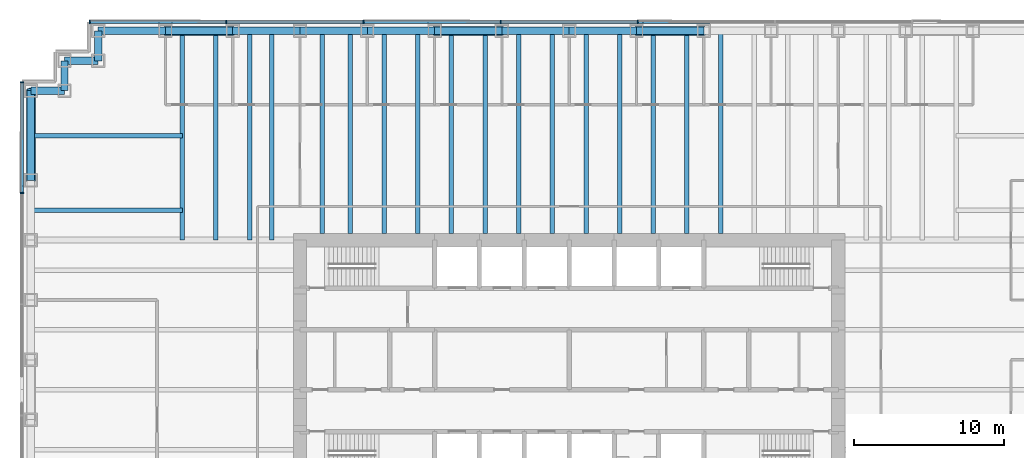
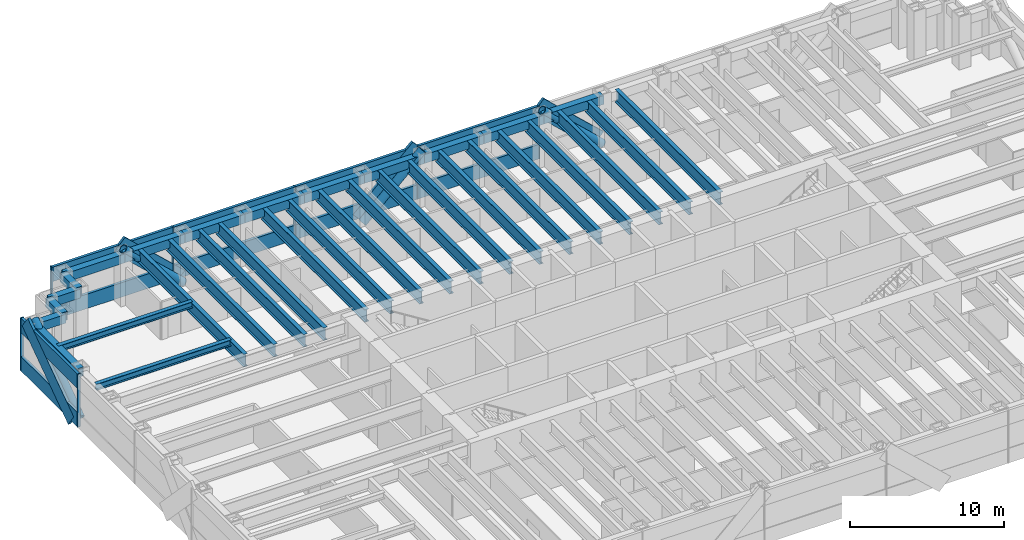
# One storey, part 5 of 16: 33 beams, 25 members, 2 elements without a shape of their own.
"""IFC4 building model written with IfcOpenShell, lengths in metres."""

import ifcopenshell
import ifcopenshell.guid

model = None  # the IFC model being written
_history = None  # IfcOwnerHistory: only IFC2X3 demands one
_inside = {}  # id of a spatial element -> (the spatial element, [elements in it])
_under = {}  # id of a project, library or spatial element -> (it, [spatial elements below it])
_declared = {}  # id of a project -> (the project, [libraries it declares])
_typed = {}  # id of a type object -> (the type object, [elements of that type])
_made_of = {}  # id of a material, layer set ... -> (it, [elements and type objects made of it])


def new_model(schema):
    """Start an empty IFC model of exactly this schema.

    Asked for "IFC4X3", IfcOpenShell would pick the latest addendum, in which some entities
    have other attributes; the version numbers below select the first issue.
    IFC2X3 requires an IfcOwnerHistory on every rooted entity: one is made here for all.
    """
    global model, _history
    if schema == "IFC4X3":
        model = ifcopenshell.file(schema_version=(4, 3, 0, 0))
    else:
        model = ifcopenshell.file(schema=schema)
    _inside.clear()
    _under.clear()
    _declared.clear()
    _typed.clear()
    _made_of.clear()
    _history = None
    if model.schema == "IFC2X3":
        org = make("IfcOrganization", Name="unknown")
        user = make(
            "IfcPersonAndOrganization",
            ThePerson=make("IfcPerson", FamilyName="unknown"),
            TheOrganization=org,
        )
        app = make(
            "IfcApplication",
            ApplicationDeveloper=org,
            Version="unknown",
            ApplicationFullName="unknown",
            ApplicationIdentifier="unknown",
        )
        _history = make(
            "IfcOwnerHistory",
            OwningUser=user,
            OwningApplication=app,
            ChangeAction="ADDED",
            CreationDate=0,
        )
    return model


def make(cls, **values):
    """One entity of the class cls with the attributes given. An attribute that is None is left unset."""
    return model.create_entity(
        cls, **{name: value for name, value in values.items() if value is not None}
    )


def rooted(cls, **values):
    """An entity with a GlobalId (a new one), such as an element, a storey or a relation."""
    return make(cls, GlobalId=ifcopenshell.guid.new(), OwnerHistory=_history, **values)


def si_unit(unit_type, name, prefix=None):
    """IfcSIUnit, for example si_unit("LENGTHUNIT", "METRE", prefix="MILLI")."""
    return make("IfcSIUnit", UnitType=unit_type, Prefix=prefix, Name=name)


def assignment(units):
    """IfcUnitAssignment: the units of a project."""
    return None if units is None else make("IfcUnitAssignment", Units=units)


def point(xyz):
    """IfcCartesianPoint."""
    return None if xyz is None else make("IfcCartesianPoint", Coordinates=xyz)


def direction(xyz):
    """IfcDirection."""
    return None if xyz is None else make("IfcDirection", DirectionRatios=xyz)


def frame(location, z_axis=None, x_axis=None):
    """IfcAxis2Placement3D, a coordinate frame: its origin and axes. An axis left out is left unset."""
    return make(
        "IfcAxis2Placement3D",
        Location=point(location),
        Axis=direction(z_axis),
        RefDirection=direction(x_axis),
    )


def frame_2d(location, x_axis=None):
    """IfcAxis2Placement2D, a coordinate frame in the plane: its origin and x axis."""
    return make(
        "IfcAxis2Placement2D", Location=point(location), RefDirection=direction(x_axis)
    )


def origin():
    """The frame at (0, 0, 0) with its axes left unset."""
    return frame((0.0, 0.0, 0.0))


def origin_2d():
    """The frame at (0, 0) in the plane with its x axis left unset."""
    return frame_2d((0.0, 0.0))


def place(relative_to, where):
    """IfcLocalPlacement: puts the frame where relative to a parent placement (None: the world)."""
    return make(
        "IfcLocalPlacement", PlacementRelTo=relative_to, RelativePlacement=where
    )


def context(
    kind, dimensions, precision=None, world=None, true_north=None, identifier=None
):
    """IfcGeometricRepresentationContext, for example the 3D "Model" context."""
    return make(
        "IfcGeometricRepresentationContext",
        ContextIdentifier=identifier,
        ContextType=kind,
        CoordinateSpaceDimension=dimensions,
        Precision=precision,
        WorldCoordinateSystem=world,
        TrueNorth=true_north,
    )


def subcontext(parent, identifier, kind, view, scale=None):
    """IfcGeometricRepresentationSubContext, for example "Body" below "Model"."""
    return make(
        "IfcGeometricRepresentationSubContext",
        ContextIdentifier=identifier,
        ContextType=kind,
        ParentContext=parent,
        TargetScale=scale,
        TargetView=view,
    )


def project(units=None, contexts=None):
    """IfcProject with its units and contexts."""
    return rooted(
        "IfcProject",
        Name="project",
        RepresentationContexts=contexts,
        UnitsInContext=assignment(units),
    )


def spatial(cls, under=None, at=None, **own):
    """A site, building, storey or space (cls), placed at a placement, below another one or the project."""
    s = rooted(cls, ObjectPlacement=at, **own)
    if under is not None:
        _under.setdefault(under.id(), (under, []))[1].append(s)
    return s


def profile(cls, at=None, kind="AREA", **sizes):
    """A parametric profile (cls). Its sizes go by their IFC names, for example OverallWidth=200.0."""
    return make(cls, ProfileType=kind, Position=at, **sizes)


def rectangle(**sizes):
    """IfcRectangleProfileDef."""
    return profile("IfcRectangleProfileDef", **sizes)


def hollow_rectangle(**sizes):
    """IfcRectangleHollowProfileDef."""
    return profile("IfcRectangleHollowProfileDef", **sizes)


def hollow_circle(**sizes):
    """IfcCircleHollowProfileDef."""
    return profile("IfcCircleHollowProfileDef", **sizes)


def i_section(**sizes):
    """IfcIShapeProfileDef."""
    return profile("IfcIShapeProfileDef", **sizes)


def extrude(swept, where, along, depth):
    """IfcExtrudedAreaSolid: the profile swept, set in the frame where, extruded along a direction by depth."""
    return make(
        "IfcExtrudedAreaSolid",
        SweptArea=swept,
        Position=where,
        ExtrudedDirection=direction(along),
        Depth=depth,
    )


def shape(context_of_items, identifier, shape_type, items):
    """IfcShapeRepresentation: the items that make up one representation, for example the "Body"."""
    return make(
        "IfcShapeRepresentation",
        ContextOfItems=context_of_items,
        RepresentationIdentifier=identifier,
        RepresentationType=shape_type,
        Items=items,
    )


def material(Name=None, Category=None):
    """IfcMaterial."""
    return make("IfcMaterial", Name=Name, Category=Category)


def material_profile(
    of_material, cross_section, Name=None, Category=None, Priority=None
):
    """IfcMaterialProfile: a cross section and its material."""
    return make(
        "IfcMaterialProfile",
        Name=Name,
        Material=of_material,
        Profile=cross_section,
        Priority=Priority,
        Category=Category,
    )


def profile_set(profiles, Name=None, composite=None):
    """IfcMaterialProfileSet."""
    return make(
        "IfcMaterialProfileSet",
        Name=Name,
        MaterialProfiles=profiles,
        CompositeProfile=composite,
    )


def made_of(thing, what):
    """Note that an element or type object is made of a material, layer set ...; save() writes the relation."""
    if what is not None:
        _made_of.setdefault(what.id(), (what, []))[1].append(thing)
    return thing


def type_object(cls, material=None, **own):
    """A type object (cls), such as IfcWallType, which elements share."""
    return made_of(rooted(cls, **own), material)


def element(
    cls,
    number,
    at=None,
    inside=None,
    cuts=None,
    type_object=None,
    material=None,
    context=None,
    identifier="Body",
    shape_type=None,
    held_by="IfcProductDefinitionShape",
    body=None,
    shapes=None,
    **own,
):
    """One element of the class cls, such as IfcWall. Its Tag is "e" and its number.

    at: its placement. inside: the storey or other place that contains it. cuts: it is an
    opening in that element (IfcRelVoidsElement). A single representation is given by context,
    identifier, shape_type and body (its items); several are given by shapes. held_by: the class
    of the entity that holds the representations. save() writes the other relations.
    """
    e = rooted(cls, Tag="e%d" % number, ObjectPlacement=at, **own)
    if body is not None:
        shapes = [shape(context, identifier, shape_type, body)]
    if shapes is not None:
        e.Representation = make(held_by, Representations=shapes)
    if inside is not None:
        _inside.setdefault(inside.id(), (inside, []))[1].append(e)
    if cuts is not None:
        rooted(
            "IfcRelVoidsElement", RelatingBuildingElement=cuts, RelatedOpeningElement=e
        )
    if type_object is not None:
        _typed.setdefault(type_object.id(), (type_object, []))[1].append(e)
    return made_of(e, material)


def aggregate(whole, parts):
    """IfcRelAggregates: a whole, such as a stair, and the parts it consists of."""
    return rooted("IfcRelAggregates", RelatingObject=whole, RelatedObjects=parts)


def save(model, path):
    """Write the relations noted so far, then the file.

    IfcRelAggregates (storeys below a building ...), IfcRelContainedInSpatialStructure (elements
    in a storey), IfcRelDefinesByType, IfcRelAssociatesMaterial and IfcRelDeclares: one each for
    every whole, place, type object, material and project.
    """
    for whole, parts in _under.values():
        aggregate(whole, parts)
    for where, things in _inside.values():
        rooted(
            "IfcRelContainedInSpatialStructure",
            RelatedElements=things,
            RelatingStructure=where,
        )
    for kind, things in _typed.values():
        rooted("IfcRelDefinesByType", RelatedObjects=things, RelatingType=kind)
    for what, things in _made_of.values():
        rooted("IfcRelAssociatesMaterial", RelatedObjects=things, RelatingMaterial=what)
    for by, libraries in _declared.values():
        rooted("IfcRelDeclares", RelatingContext=by, RelatedDefinitions=libraries)
    model.write(path)


model = new_model("IFC4")

# Units and contexts
model_context = context("Model", 3, precision=1e-05, world=origin(), true_north=direction((0.0, 1.0)))
body_context = subcontext(model_context, "Body", "Model", "MODEL_VIEW")
ifc_project = project(units=[si_unit("LENGTHUNIT", "METRE"), si_unit("AREAUNIT", "SQUARE_METRE"), si_unit("VOLUMEUNIT", "CUBIC_METRE"), si_unit("PLANEANGLEUNIT", "RADIAN"), si_unit("MASSUNIT", "GRAM", prefix="KILO")], contexts=[model_context])

# Site, building, storey
site_placement = place(None, origin())
site = spatial("IfcSite", under=ifc_project, at=site_placement, CompositionType="ELEMENT")
building_placement = place(site_placement, origin())
building = spatial("IfcBuilding", under=site, at=building_placement, Name="Rheinbord Bourse Tower", CompositionType="ELEMENT")
storey_placement = place(building_placement, frame((0.0, 0.0, 176.10009765625)))
storey = spatial("IfcBuildingStorey", under=building, at=storey_placement, Name="L39", CompositionType="ELEMENT", Elevation=176.10009765625)

# Beams
ifc_material_1 = material(Name="Steel S460M", Category="steel")
ifc_material_profile_1 = material_profile(ifc_material_1, hollow_rectangle(XDim=0.5, YDim=0.699951171875, WallThickness=0.0400390625, at=origin_2d()), Name="BOX 700x500x40")
ifc_profile_set_1 = profile_set([ifc_material_profile_1], Name="Steel S460M")
beam_type_1 = type_object("IfcBeamType", Name="BELT CHORD BOX 700x500x40", PredefinedType="SPANDREL", material=ifc_profile_set_1)
for number, where, z_axis, x_axis, name in (
    (1, (45.0, 46.0, 3.599853515625), (-1.0, 0.0, 0.0), (0.0, -1.0, 0.0), "Spandrel N-45-N-40.5 under L40"),
    (2, (40.5, 46.0, 3.599853515625), (-1.0, 0.0, 0.0), (0.0, -1.0, 0.0), "Spandrel N-40.5-N-36 under L40"),
    (3, (36.0, 46.0, 3.599853515625), (-1.0, 0.0, 0.0), (0.0, -1.0, 0.0), "Spandrel N-36-N-31.5 under L40"),
    (4, (31.5, 46.0, 3.599853515625), (-1.0, 0.0, 0.0), (0.0, -1.0, 0.0), "Spandrel N-31.5-N-27 under L40"),
    (5, (27.0, 46.0, 3.599853515625), (-1.0, 0.0, 0.0), (0.0, -1.0, 0.0), "Spandrel N-27-N-22.5 under L40"),
    (6, (22.5, 46.0, 3.599853515625), (-1.0, 0.0, 0.0), (0.0, -1.0, 0.0), "Spandrel N-22.5-N-18 under L40"),
    (7, (18.0, 46.0, 3.599853515625), (-1.0, 0.0, 0.0), (0.0, -1.0, 0.0), "Spandrel N-18-N-13.5 under L40"),
    (8, (13.5, 46.0, 3.599853515625), (-1.0, 0.0, 0.0), (0.0, -1.0, 0.0), "Spandrel N-13.5-N-9 under L40"),
    (9, (9.0, 46.0, 3.599853515625), (-1.0, 0.0, 0.0), (0.0, -1.0, 0.0), "Spandrel N-9-NW-E under L40"),
):
    element("IfcBeam", number, at=place(storey_placement, frame(where, z_axis=z_axis, x_axis=x_axis)), inside=storey, type_object=beam_type_1, Name=name, PredefinedType="SPANDREL", context=body_context, shape_type="SweptSolid", body=[
        extrude(hollow_rectangle(XDim=0.5, YDim=0.699951171875, WallThickness=0.0400390625, at=origin_2d()), origin(), (0.0, 0.0, 1.0), 4.5),
    ])
beam_1_placement = place(storey_placement, frame((4.5, 46.0, 3.599853515625), z_axis=(0.0, -1.0, 0.0), x_axis=(1.0, 0.0, 0.0)))
element("IfcBeam", 10, at=beam_1_placement, inside=storey, type_object=beam_type_1, Name="Spandrel NW-E-NW-D under L40", PredefinedType="SPANDREL", context=body_context, shape_type="SweptSolid", body=[
    extrude(hollow_rectangle(XDim=0.5, YDim=0.699951171875, WallThickness=0.0400390625, at=origin_2d()), origin(), (0.0, 0.0, 1.0), 2.0),
])
beam_2_placement = place(storey_placement, frame((4.5, 44.0, 3.599853515625), z_axis=(-1.0, 0.0, 0.0), x_axis=(0.0, -1.0, 0.0)))
element("IfcBeam", 11, at=beam_2_placement, inside=storey, type_object=beam_type_1, Name="Spandrel NW-D-NW-C under L40", PredefinedType="SPANDREL", context=body_context, shape_type="SweptSolid", body=[
    extrude(hollow_rectangle(XDim=0.5, YDim=0.699951171875, WallThickness=0.0400390625, at=origin_2d()), origin(), (0.0, 0.0, 1.0), 2.25),
])
beam_3_placement = place(storey_placement, frame((2.25, 44.0, 3.599853515625), z_axis=(0.0, -1.0, 0.0), x_axis=(1.0, 0.0, 0.0)))
element("IfcBeam", 12, at=beam_3_placement, inside=storey, type_object=beam_type_1, Name="Spandrel NW-C-NW-B under L40", PredefinedType="SPANDREL", context=body_context, shape_type="SweptSolid", body=[
    extrude(hollow_rectangle(XDim=0.5, YDim=0.699951171875, WallThickness=0.0400390625, at=origin_2d()), origin(), (0.0, 0.0, 1.0), 2.0),
])
beam_4_placement = place(storey_placement, frame((2.25, 42.0, 3.599853515625), z_axis=(-1.0, 0.0, 0.0), x_axis=(0.0, -1.0, 0.0)))
element("IfcBeam", 13, at=beam_4_placement, inside=storey, type_object=beam_type_1, Name="Spandrel NW-B-NW-A under L40", PredefinedType="SPANDREL", context=body_context, shape_type="SweptSolid", body=[
    extrude(hollow_rectangle(XDim=0.5, YDim=0.699951171875, WallThickness=0.0400390625, at=origin_2d()), origin(), (0.0, 0.0, 1.0), 2.25),
])
beam_5_placement = place(storey_placement, frame((0.0, 42.0, 3.599853515625), z_axis=(0.0, -1.0, 0.0), x_axis=(1.0, 0.0, 0.0)))
element("IfcBeam", 14, at=beam_5_placement, inside=storey, type_object=beam_type_1, Name="Spandrel NW-A-W-36 under L40", PredefinedType="SPANDREL", context=body_context, shape_type="SweptSolid", body=[
    extrude(hollow_rectangle(XDim=0.5, YDim=0.699951171875, WallThickness=0.0400390625, at=origin_2d()), origin(), (0.0, 0.0, 1.0), 6.0),
])

# Curtain wall, members
ifc_material_2 = material(Name="Dark glass and black aluminium", Category="aluminium")
curtain_wall_type = type_object("IfcCurtainWallType", Name="CW5 DARK GLASS CURTAIN WALL", PredefinedType="USERDEFINED", material=ifc_material_2)
curtain_wall_1_placement = place(storey_placement, origin())
curtain_wall_1 = element("IfcCurtainWall", 15, at=curtain_wall_1_placement, inside=storey, type_object=curtain_wall_type, Name="Curtain wall CW5 N L39", ObjectType="UNITISED CURTAIN WALL", PredefinedType="USERDEFINED")
ifc_material_3 = material(Name="Black anodised aluminium", Category="aluminium")
ifc_material_profile_2 = material_profile(ifc_material_3, rectangle(XDim=0.199951171875, YDim=1.259033203125, at=origin_2d()), Name="CW5 DIAGONAL MULLION 1259x200")
ifc_profile_set_2 = profile_set([ifc_material_profile_2], Name="Black anodised aluminium")
member_type_1 = type_object("IfcMemberType", Name="CW5 BLACK DIAGONAL MULLION", PredefinedType="USERDEFINED", material=ifc_profile_set_2)
member_1_placement = place(storey_placement, frame((13.5, 46.60009765625, 0.0), z_axis=(-0.73105922506, 0.0, 0.682314010889), x_axis=(0.0, -1.0, 0.0)))
member_1 = element("IfcMember", 16, at=member_1_placement, type_object=member_type_1, Name="CW5 diagonal mullion b", ObjectType="DIAGONAL MULLION", PredefinedType="USERDEFINED", context=body_context, shape_type="SweptSolid", body=[
    extrude(rectangle(XDim=0.199951171875, YDim=1.259033203125, at=origin_2d()), origin(), (0.0, 0.0, 1.0), 6.155517578125),
])
member_2_placement = place(storey_placement, frame((45.0, 46.60009765625, 0.0), z_axis=(-0.73105922506, 0.0, 0.682314010889), x_axis=(0.0, -1.0, 0.0)))
member_2 = element("IfcMember", 17, at=member_2_placement, type_object=member_type_1, Name="CW5 diagonal mullion c", ObjectType="DIAGONAL MULLION", PredefinedType="USERDEFINED", context=body_context, shape_type="SweptSolid", body=[
    extrude(rectangle(XDim=0.199951171875, YDim=1.259033203125, at=origin_2d()), origin(), (0.0, 0.0, 1.0), 6.155517578125),
])
member_3_placement = place(storey_placement, frame((27.0, 46.60009765625, 0.0), z_axis=(0.73105922506, 0.0, 0.682314010889), x_axis=(0.0, 1.0, 0.0)))
member_3 = element("IfcMember", 18, at=member_3_placement, type_object=member_type_1, Name="CW5 diagonal mullion d", ObjectType="DIAGONAL MULLION", PredefinedType="USERDEFINED", context=body_context, shape_type="SweptSolid", body=[
    extrude(rectangle(XDim=0.199951171875, YDim=1.259033203125, at=origin_2d()), origin(), (0.0, 0.0, 1.0), 6.155517578125),
])

# Curtain wall, member
curtain_wall_2_placement = place(storey_placement, origin())
curtain_wall_2 = element("IfcCurtainWall", 19, at=curtain_wall_2_placement, inside=storey, type_object=curtain_wall_type, Name="Curtain wall CW5 W L39", ObjectType="UNITISED CURTAIN WALL", PredefinedType="USERDEFINED")
member_4_placement = place(storey_placement, frame((-0.60009765625, 36.0, 0.0), z_axis=(0.0, 0.819235052632, 0.57345786989), x_axis=(-1.0, 0.0, 0.0)))
member_4 = element("IfcMember", 20, at=member_4_placement, type_object=member_type_1, Name="CW5 diagonal mullion c", ObjectType="DIAGONAL MULLION", PredefinedType="USERDEFINED", context=body_context, shape_type="SweptSolid", body=[
    extrude(rectangle(XDim=0.199951171875, YDim=1.259033203125, at=origin_2d()), origin(), (0.0, 0.0, 1.0), 7.323974609375),
])

# Member
ifc_material_4 = material(Name="Black anodised aluminium", Category="aluminium")
ifc_material_profile_3 = material_profile(ifc_material_4, rectangle(XDim=0.25, YDim=0.080078125, at=origin_2d()), Name="CW5 MULLION 80x250")
ifc_profile_set_3 = profile_set([ifc_material_profile_3], Name="Black anodised aluminium")
member_type_2 = type_object("IfcMemberType", Name="CW5 BLACK MULLION", PredefinedType="MULLION", material=ifc_profile_set_3)
member_5_placement = place(storey_placement, frame((40.585693359375, 46.60009765625, 0.0), z_axis=(0.0, 0.0, 1.0), x_axis=(0.0, -1.0, 0.0)))
member_5 = element("IfcMember", 21, at=member_5_placement, type_object=member_type_2, Name="CW5 mullion 4", PredefinedType="MULLION", context=body_context, shape_type="SweptSolid", body=[
    extrude(rectangle(XDim=0.25, YDim=0.080078125, at=origin_2d()), origin(), (0.0, 0.0, 1.0), 4.199951171875),
])

member_6_placement = place(storey_placement, frame((31.414306640625, 46.60009765625, 0.0), z_axis=(0.0, 0.0, 1.0), x_axis=(0.0, -1.0, 0.0)))
member_6 = element("IfcMember", 22, at=member_6_placement, type_object=member_type_2, Name="CW5 mullion 5", PredefinedType="MULLION", context=body_context, shape_type="SweptSolid", body=[
    extrude(rectangle(XDim=0.25, YDim=0.080078125, at=origin_2d()), origin(), (0.0, 0.0, 1.0), 4.199951171875),
])

member_7_placement = place(storey_placement, frame((22.242919921875, 46.60009765625, 0.0), z_axis=(0.0, 0.0, 1.0), x_axis=(0.0, -1.0, 0.0)))
member_7 = element("IfcMember", 23, at=member_7_placement, type_object=member_type_2, Name="CW5 mullion 6", PredefinedType="MULLION", context=body_context, shape_type="SweptSolid", body=[
    extrude(rectangle(XDim=0.25, YDim=0.080078125, at=origin_2d()), origin(), (0.0, 0.0, 1.0), 4.199951171875),
])

member_8_placement = place(storey_placement, frame((13.071533203125, 46.60009765625, 0.0), z_axis=(0.0, 0.0, 1.0), x_axis=(0.0, -1.0, 0.0)))
member_8 = element("IfcMember", 24, at=member_8_placement, type_object=member_type_2, Name="CW5 mullion 7", PredefinedType="MULLION", context=body_context, shape_type="SweptSolid", body=[
    extrude(rectangle(XDim=0.25, YDim=0.080078125, at=origin_2d()), origin(), (0.0, 0.0, 1.0), 4.199951171875),
])

member_9_placement = place(storey_placement, frame((3.93994140625, 46.60009765625, 0.0), z_axis=(0.0, 0.0, 1.0), x_axis=(0.0, -1.0, 0.0)))
member_9 = element("IfcMember", 25, at=member_9_placement, type_object=member_type_2, Name="CW5 mullion 8", PredefinedType="MULLION", context=body_context, shape_type="SweptSolid", body=[
    extrude(rectangle(XDim=0.25, YDim=0.080078125, at=origin_2d()), origin(), (0.0, 0.0, 1.0), 4.199951171875),
])

member_10_placement = place(storey_placement, frame((-0.60009765625, 42.56005859375, 0.0), z_axis=(0.0, 0.0, 1.0), x_axis=(1.0, 0.0, 0.0)))
member_10 = element("IfcMember", 26, at=member_10_placement, type_object=member_type_2, Name="CW5 mullion 1", PredefinedType="MULLION", context=body_context, shape_type="SweptSolid", body=[
    extrude(rectangle(XDim=0.25, YDim=0.080078125, at=origin_2d()), origin(), (0.0, 0.0, 1.0), 4.199951171875),
])

member_11_placement = place(storey_placement, frame((-0.60009765625, 35.159912109375, 0.0), z_axis=(0.0, 0.0, 1.0), x_axis=(1.0, 0.0, 0.0)))
member_11 = element("IfcMember", 27, at=member_11_placement, type_object=member_type_2, Name="CW5 mullion 2", PredefinedType="MULLION", context=body_context, shape_type="SweptSolid", body=[
    extrude(rectangle(XDim=0.25, YDim=0.080078125, at=origin_2d()), origin(), (0.0, 0.0, 1.0), 4.199951171875),
])

ifc_material_5 = material(Name="Black anodised aluminium", Category="aluminium")
ifc_material_profile_4 = material_profile(ifc_material_5, rectangle(XDim=0.199951171875, YDim=1.14990234375, at=origin_2d()), Name="CW5 TRANSOM 1150x200")
ifc_profile_set_4 = profile_set([ifc_material_profile_4], Name="Black anodised aluminium")
member_type_3 = type_object("IfcMemberType", Name="CW5 BLACK TRANSOM", PredefinedType="USERDEFINED", material=ifc_profile_set_4)
member_12_placement = place(storey_placement, frame((40.545654296875, 46.60009765625, 0.574951171875), z_axis=(-1.0, 0.0, 0.0), x_axis=(0.0, -1.0, 0.0)))
member_12 = element("IfcMember", 28, at=member_12_placement, type_object=member_type_3, Name="CW5 transom 4.1", ObjectType="TRANSOM", PredefinedType="USERDEFINED", context=body_context, shape_type="SweptSolid", body=[
    extrude(rectangle(XDim=0.199951171875, YDim=1.14990234375, at=origin_2d()), origin(), (0.0, 0.0, 1.0), 9.09130859375),
])

member_13_placement = place(storey_placement, frame((40.545654296875, 46.60009765625, 3.625), z_axis=(-1.0, 0.0, 0.0), x_axis=(0.0, -1.0, 0.0)))
member_13 = element("IfcMember", 29, at=member_13_placement, type_object=member_type_3, Name="CW5 transom 4.2", ObjectType="TRANSOM", PredefinedType="USERDEFINED", context=body_context, shape_type="SweptSolid", body=[
    extrude(rectangle(XDim=0.199951171875, YDim=1.14990234375, at=origin_2d()), origin(), (0.0, 0.0, 1.0), 9.09130859375),
])

member_14_placement = place(storey_placement, frame((31.374267578125, 46.60009765625, 0.574951171875), z_axis=(-1.0, 0.0, 0.0), x_axis=(0.0, -1.0, 0.0)))
member_14 = element("IfcMember", 30, at=member_14_placement, type_object=member_type_3, Name="CW5 transom 5.1", ObjectType="TRANSOM", PredefinedType="USERDEFINED", context=body_context, shape_type="SweptSolid", body=[
    extrude(rectangle(XDim=0.199951171875, YDim=1.14990234375, at=origin_2d()), origin(), (0.0, 0.0, 1.0), 9.09130859375),
])

member_15_placement = place(storey_placement, frame((31.374267578125, 46.60009765625, 3.625), z_axis=(-1.0, 0.0, 0.0), x_axis=(0.0, -1.0, 0.0)))
member_15 = element("IfcMember", 31, at=member_15_placement, type_object=member_type_3, Name="CW5 transom 5.2", ObjectType="TRANSOM", PredefinedType="USERDEFINED", context=body_context, shape_type="SweptSolid", body=[
    extrude(rectangle(XDim=0.199951171875, YDim=1.14990234375, at=origin_2d()), origin(), (0.0, 0.0, 1.0), 9.09130859375),
])

member_16_placement = place(storey_placement, frame((22.202880859375, 46.60009765625, 0.574951171875), z_axis=(-1.0, 0.0, 0.0), x_axis=(0.0, -1.0, 0.0)))
member_16 = element("IfcMember", 32, at=member_16_placement, type_object=member_type_3, Name="CW5 transom 6.1", ObjectType="TRANSOM", PredefinedType="USERDEFINED", context=body_context, shape_type="SweptSolid", body=[
    extrude(rectangle(XDim=0.199951171875, YDim=1.14990234375, at=origin_2d()), origin(), (0.0, 0.0, 1.0), 9.091552734375),
])

member_17_placement = place(storey_placement, frame((22.202880859375, 46.60009765625, 3.625), z_axis=(-1.0, 0.0, 0.0), x_axis=(0.0, -1.0, 0.0)))
member_17 = element("IfcMember", 33, at=member_17_placement, type_object=member_type_3, Name="CW5 transom 6.2", ObjectType="TRANSOM", PredefinedType="USERDEFINED", context=body_context, shape_type="SweptSolid", body=[
    extrude(rectangle(XDim=0.199951171875, YDim=1.14990234375, at=origin_2d()), origin(), (0.0, 0.0, 1.0), 9.091552734375),
])

member_18_placement = place(storey_placement, frame((13.031494140625, 46.60009765625, 0.574951171875), z_axis=(-1.0, 0.0, 0.0), x_axis=(0.0, -1.0, 0.0)))
member_18 = element("IfcMember", 34, at=member_18_placement, type_object=member_type_3, Name="CW5 transom 7.1", ObjectType="TRANSOM", PredefinedType="USERDEFINED", context=body_context, shape_type="SweptSolid", body=[
    extrude(rectangle(XDim=0.199951171875, YDim=1.14990234375, at=origin_2d()), origin(), (0.0, 0.0, 1.0), 9.051513671875),
])

member_19_placement = place(storey_placement, frame((13.031494140625, 46.60009765625, 3.625), z_axis=(-1.0, 0.0, 0.0), x_axis=(0.0, -1.0, 0.0)))
member_19 = element("IfcMember", 35, at=member_19_placement, type_object=member_type_3, Name="CW5 transom 7.2", ObjectType="TRANSOM", PredefinedType="USERDEFINED", context=body_context, shape_type="SweptSolid", body=[
    extrude(rectangle(XDim=0.199951171875, YDim=1.14990234375, at=origin_2d()), origin(), (0.0, 0.0, 1.0), 9.051513671875),
])

aggregate(curtain_wall_1, [member_5, member_6, member_7, member_8, member_9, member_12, member_13, member_14, member_15, member_16, member_17, member_18, member_19, member_1, member_2, member_3])

member_20_placement = place(storey_placement, frame((-0.60009765625, 42.52001953125, 0.574951171875), z_axis=(0.0, -1.0, 0.0), x_axis=(1.0, 0.0, 0.0)))
member_20 = element("IfcMember", 36, at=member_20_placement, type_object=member_type_3, Name="CW5 transom 1.1", ObjectType="TRANSOM", PredefinedType="USERDEFINED", context=body_context, shape_type="SweptSolid", body=[
    extrude(rectangle(XDim=0.199951171875, YDim=1.14990234375, at=origin_2d()), origin(), (0.0, 0.0, 1.0), 7.320068359375),
])

member_21_placement = place(storey_placement, frame((-0.60009765625, 42.52001953125, 3.625), z_axis=(0.0, -1.0, 0.0), x_axis=(1.0, 0.0, 0.0)))
member_21 = element("IfcMember", 37, at=member_21_placement, type_object=member_type_3, Name="CW5 transom 1.2", ObjectType="TRANSOM", PredefinedType="USERDEFINED", context=body_context, shape_type="SweptSolid", body=[
    extrude(rectangle(XDim=0.199951171875, YDim=1.14990234375, at=origin_2d()), origin(), (0.0, 0.0, 1.0), 7.320068359375),
])

aggregate(curtain_wall_2, [member_10, member_11, member_20, member_21, member_4])

# Beams
ifc_material_6 = material(Name="Steel S460", Category="steel")
ifc_material_profile_5 = material_profile(ifc_material_6, i_section(OverallWidth=0.302001953125, OverallDepth=1.008056640625, WebThickness=0.02099609375, FlangeThickness=0.0400390625, at=origin_2d()), Name="HEM 1000")
ifc_profile_set_5 = profile_set([ifc_material_profile_5], Name="Steel S460")
beam_type_2 = type_object("IfcBeamType", Name="FLOOR BEAM HEM 1000", PredefinedType="BEAM", material=ifc_profile_set_5)
for number, where, z_axis, x_axis, name in (
    (38, (10.125, 46.0, 3.44580078125), (0.0, -1.0, 0.0), (1.0, 0.0, 0.0), "Floor beam N-9a L40"),
    (39, (12.375, 46.0, 3.44580078125), (0.0, -1.0, 0.0), (1.0, 0.0, 0.0), "Floor beam N-9b L40"),
    (40, (14.625, 46.0, 3.44580078125), (0.0, -1.0, 0.0), (1.0, 0.0, 0.0), "Floor beam N-13.5a L40"),
    (41, (16.125, 46.0, 3.44580078125), (0.0, -1.0, 0.0), (1.0, 0.0, 0.0), "Floor beam N-13.5b L40"),
):
    element("IfcBeam", number, at=place(storey_placement, frame(where, z_axis=z_axis, x_axis=x_axis)), inside=storey, type_object=beam_type_2, Name=name, PredefinedType="BEAM", context=body_context, shape_type="SweptSolid", body=[
        extrude(i_section(OverallWidth=0.302001953125, OverallDepth=1.008056640625, WebThickness=0.02099609375, FlangeThickness=0.0400390625, at=origin_2d()), origin(), (0.0, 0.0, 1.0), 14.0),
    ])
for number, where, z_axis, x_axis, name in (
    (42, (19.5, 46.0, 3.44580078125), (0.0, -1.0, 0.0), (1.0, 0.0, 0.0), "Floor beam N-18a L40"),
    (43, (21.375, 46.0, 3.44580078125), (0.0, -1.0, 0.0), (1.0, 0.0, 0.0), "Floor beam N-18b L40"),
    (44, (23.625, 46.0, 3.44580078125), (0.0, -1.0, 0.0), (1.0, 0.0, 0.0), "Floor beam N-22.5a L40"),
    (45, (25.875, 46.0, 3.44580078125), (0.0, -1.0, 0.0), (1.0, 0.0, 0.0), "Floor beam N-22.5b L40"),
    (46, (28.125, 46.0, 3.44580078125), (0.0, -1.0, 0.0), (1.0, 0.0, 0.0), "Floor beam N-27a L40"),
    (47, (30.375, 46.0, 3.44580078125), (0.0, -1.0, 0.0), (1.0, 0.0, 0.0), "Floor beam N-27b L40"),
    (48, (32.625, 46.0, 3.44580078125), (0.0, -1.0, 0.0), (1.0, 0.0, 0.0), "Floor beam N-31.5a L40"),
    (49, (34.875, 46.0, 3.44580078125), (0.0, -1.0, 0.0), (1.0, 0.0, 0.0), "Floor beam N-31.5b L40"),
    (50, (37.125, 46.0, 3.44580078125), (0.0, -1.0, 0.0), (1.0, 0.0, 0.0), "Floor beam N-36a L40"),
    (51, (39.375, 46.0, 3.44580078125), (0.0, -1.0, 0.0), (1.0, 0.0, 0.0), "Floor beam N-36b L40"),
    (52, (41.625, 46.0, 3.44580078125), (0.0, -1.0, 0.0), (1.0, 0.0, 0.0), "Floor beam N-40.5a L40"),
    (53, (43.875, 46.0, 3.44580078125), (0.0, -1.0, 0.0), (1.0, 0.0, 0.0), "Floor beam N-40.5b L40"),
    (54, (46.125, 46.0, 3.44580078125), (0.0, -1.0, 0.0), (1.0, 0.0, 0.0), "Floor beam N-45a L40"),
):
    element("IfcBeam", number, at=place(storey_placement, frame(where, z_axis=z_axis, x_axis=x_axis)), inside=storey, type_object=beam_type_2, Name=name, PredefinedType="BEAM", context=body_context, shape_type="SweptSolid", body=[
        extrude(i_section(OverallWidth=0.302001953125, OverallDepth=1.008056640625, WebThickness=0.02099609375, FlangeThickness=0.0400390625, at=origin_2d()), origin(), (0.0, 0.0, 1.0), 13.550048828125),
    ])

# Members
ifc_material_7 = material(Name="Steel S460", Category="steel")
ifc_material_profile_6 = material_profile(ifc_material_7, hollow_circle(Radius=0.304931640625, WallThickness=0.0400390625, at=origin_2d()), Name="CHS 610x40")
ifc_profile_set_6 = profile_set([ifc_material_profile_6], Name="Steel S460")
member_type_4 = type_object("IfcMemberType", Name="MEGABRACE CHS 610x40", PredefinedType="BRACE", material=ifc_profile_set_6)
for number, where, z_axis, x_axis, name in (
    (55, (13.5, 46.0, 0.0), (-0.73105922506, 0.0, 0.682314010889), (0.0, -1.0, 0.0), "Megabrace N face line b L39"),
    (56, (45.0, 46.0, 0.0), (-0.73105922506, 0.0, 0.682314010889), (0.0, -1.0, 0.0), "Megabrace N face line c L39"),
    (57, (27.0, 46.0, 0.0), (0.73105922506, 0.0, 0.682314010889), (0.0, 1.0, 0.0), "Megabrace N face line d L39"),
):
    element("IfcMember", number, at=place(storey_placement, frame(where, z_axis=z_axis, x_axis=x_axis)), inside=storey, type_object=member_type_4, Name=name, PredefinedType="BRACE", context=body_context, shape_type="SweptSolid", body=[
        extrude(hollow_circle(Radius=0.304931640625, WallThickness=0.0400390625, at=origin_2d()), origin(), (0.0, 0.0, 1.0), 6.155517578125),
    ])
member_22_placement = place(storey_placement, frame((0.0, 36.0, 0.0), z_axis=(0.0, 0.819235052632, 0.57345786989), x_axis=(-1.0, 0.0, 0.0)))
element("IfcMember", 58, at=member_22_placement, inside=storey, type_object=member_type_4, Name="Megabrace W face line c L39", PredefinedType="BRACE", context=body_context, shape_type="SweptSolid", body=[
    extrude(hollow_circle(Radius=0.304931640625, WallThickness=0.0400390625, at=origin_2d()), origin(), (0.0, 0.0, 1.0), 7.323974609375),
])

# Beams
ifc_material_8 = material(Name="Steel S460", Category="steel")
ifc_material_profile_7 = material_profile(ifc_material_8, i_section(OverallWidth=0.300048828125, OverallDepth=0.5, WebThickness=0.014404296875, FlangeThickness=0.028076171875, at=origin_2d()), Name="HEB 500")
ifc_profile_set_7 = profile_set([ifc_material_profile_7], Name="Steel S460")
beam_type_3 = type_object("IfcBeamType", Name="TIE BEAM HEB 500", PredefinedType="JOIST", material=ifc_profile_set_7)
for number, where, z_axis, x_axis, name in (
    (59, (0.0, 34.0, 3.699951171875), (1.0, 0.0, 0.0), (0.0, 1.0, 0.0), "Tie west 34 L40"),
    (60, (0.0, 39.0, 3.699951171875), (1.0, 0.0, 0.0), (0.0, 1.0, 0.0), "Tie west 39 L40"),
):
    element("IfcBeam", number, at=place(storey_placement, frame(where, z_axis=z_axis, x_axis=x_axis)), inside=storey, type_object=beam_type_3, Name=name, PredefinedType="JOIST", context=body_context, shape_type="SweptSolid", body=[
        extrude(i_section(OverallWidth=0.300048828125, OverallDepth=0.5, WebThickness=0.014404296875, FlangeThickness=0.028076171875, at=origin_2d()), origin(), (0.0, 0.0, 1.0), 10.125),
    ])

save(model, "model.ifc")
